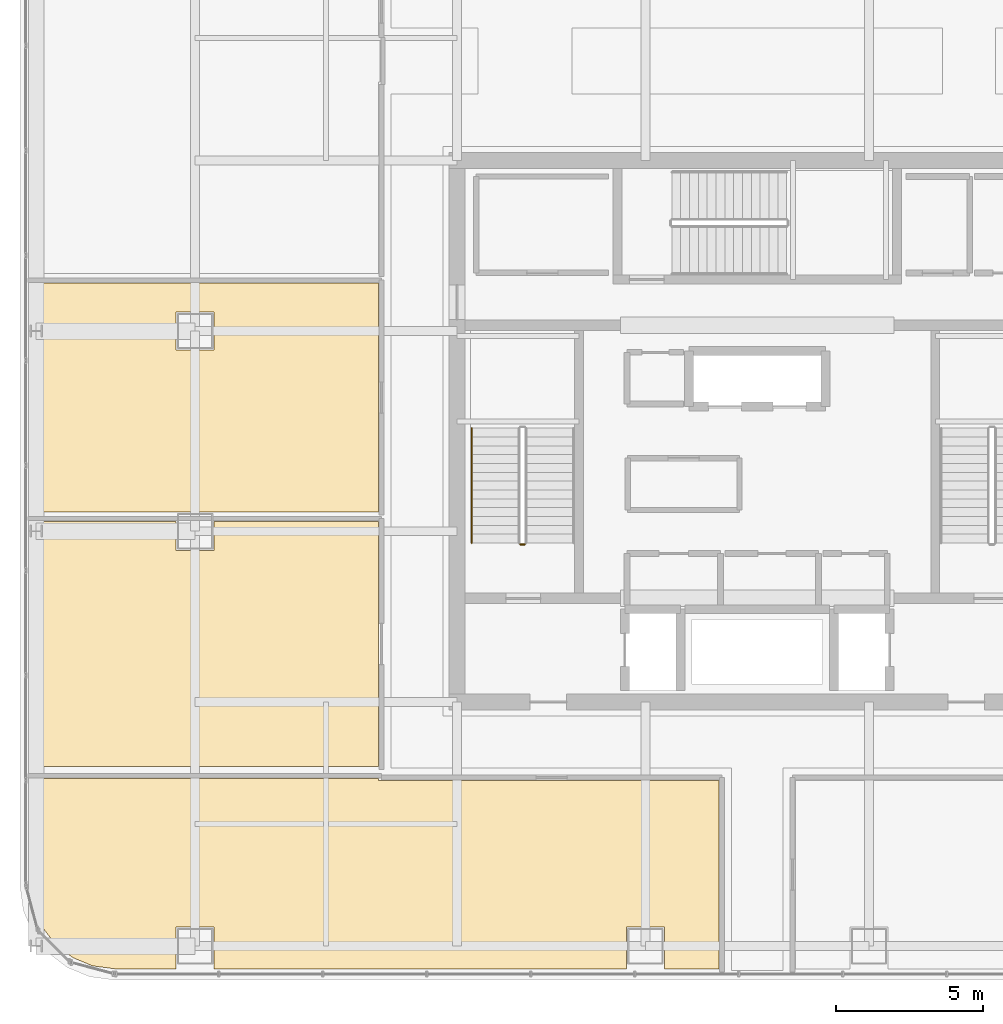
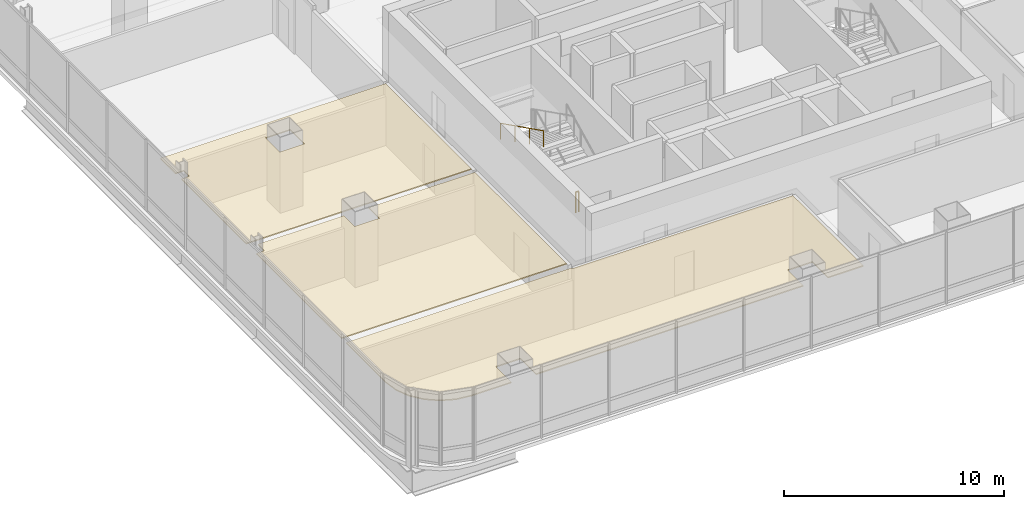
# One storey, part 37 of 41: 3 coverings, 2 railings.
"""IFC4 building model written with IfcOpenShell, lengths in metres."""

from ifc_helpers import new_model, si_unit, direction, frame, origin, origin_2d, place, context, subcontext, project, spatial, polyline, circle, outline, extrude, material, layer, layer_set, type_object, element, save


model = new_model("IFC4")

# Units and contexts
model_context = context("Model", 3, precision=1e-05, world=origin(), true_north=direction((0.0, 1.0)))
body_context = subcontext(model_context, "Body", "Model", "MODEL_VIEW")
ifc_project = project(units=[si_unit("LENGTHUNIT", "METRE"), si_unit("AREAUNIT", "SQUARE_METRE"), si_unit("VOLUMEUNIT", "CUBIC_METRE"), si_unit("PLANEANGLEUNIT", "RADIAN"), si_unit("MASSUNIT", "GRAM", prefix="KILO")], contexts=[model_context])

# Site, building, storey
site_placement = place(None, origin())
site = spatial("IfcSite", under=ifc_project, at=site_placement, CompositionType="ELEMENT")
building_placement = place(site_placement, origin())
building = spatial("IfcBuilding", under=site, at=building_placement, Name="Punatoya Terracotta Tower", CompositionType="ELEMENT")
storey_placement = place(building_placement, frame((0.0, 0.0, 292.199951171875)))
storey = spatial("IfcBuildingStorey", under=building, at=storey_placement, Name="L69", CompositionType="ELEMENT", Elevation=292.199951171875)

# Coverings
ifc_material_1 = material(Name="Acoustic Mineral Fibre Ceiling")
ifc_layer = layer(ifc_material_1, 0.06005859375)
ifc_layer_set = layer_set([ifc_layer], Name="Acoustic Mineral Fibre Ceiling")
covering_type = type_object("IfcCoveringType", Name="COV-CEIL-60", PredefinedType="CEILING", material=ifc_layer_set)
covering_1_placement = place(storey_placement, frame((0.0, 0.0, 3.39013671875)))
element("IfcCovering", 1, at=covering_1_placement, inside=storey, type_object=covering_type, Name="L69 Staff Wellness Studio Acoustic Ceiling", PredefinedType="CEILING", context=body_context, shape_type="SweptSolid", body=[
    extrude(outline(polyline([(-24.289306640625, -16.8583984375), (-23.841796875, -17.441650390625), (-23.25830078125, -17.889404296875), (-22.5791015625, -18.1708984375), (-21.8251953125, -18.27001953125), (-19.75, -18.27001953125), (-19.75, -16.85009765625), (-18.449951171875, -16.85009765625), (-18.449951171875, -18.27001953125), (-4.449951171875, -18.27001953125), (-4.449951171875, -16.85009765625), (-3.14990234375, -16.85009765625), (-3.14990234375, -18.27001953125), (-1.300048828125, -18.27001953125), (-1.300048828125, -11.8701171875), (-12.8701171875, -11.8701171875), (-12.8701171875, -11.81005859375), (-24.669921875, -11.81005859375), (-24.669921875, -15.425048828125), (-24.57080078125, -16.178955078125), (-24.289306640625, -16.8583984375)])), origin(), (0.0, 0.0, 1.0), 0.059814453125),
])
covering_2_placement = place(storey_placement, frame((0.0, 0.0, 3.39013671875)))
element("IfcCovering", 2, at=covering_2_placement, inside=storey, type_object=covering_type, Name="L69 Open-Plan Cultural History Classroom Acoustic Ceiling", PredefinedType="CEILING", context=body_context, shape_type="SweptSolid", body=[
    extrude(outline(polyline([(-24.2470703125, -3.070068359375), (-24.2470703125, -3.657958984375), (-24.669921875, -3.657958984375), (-24.669921875, -11.389892578125), (-12.8701171875, -11.389892578125), (-12.8701171875, -3.070068359375), (-18.449951171875, -3.070068359375), (-18.449951171875, -4.050048828125), (-19.75, -4.050048828125), (-19.75, -3.070068359375), (-24.2470703125, -3.070068359375)])), origin(), (0.0, 0.0, 1.0), 0.059814453125),
])
covering_3_placement = place(storey_placement, frame((0.0, 0.0, 3.39013671875)))
element("IfcCovering", 3, at=covering_3_placement, inside=storey, type_object=covering_type, Name="L69 Open-Plan Nutrition Tea Pantry Acoustic Ceiling", PredefinedType="CEILING", context=body_context, shape_type="SweptSolid", body=[
    extrude(outline(polyline([(-12.8701171875, -2.75), (-12.8701171875, 5.030029296875), (-24.669921875, 5.030029296875), (-24.669921875, 3.657958984375), (-24.2470703125, 3.657958984375), (-24.2470703125, 3.14208984375), (-24.669921875, 3.14208984375), (-24.669921875, -2.75), (-12.8701171875, -2.75)]), holes=[polyline([(-18.449951171875, 4.050048828125), (-18.449951171875, 2.75), (-19.75, 2.75), (-19.75, 4.050048828125), (-18.449951171875, 4.050048828125)])]), origin(), (0.0, 0.0, 1.0), 0.059814453125),
])

# Railings
ifc_material_2 = material(Name="Steel S355", Category="steel")
railing_type_1 = type_object("IfcRailingType", Name="RLG-GRD-1150", PredefinedType="GUARDRAIL", material=ifc_material_2)
railing_1_placement = place(storey_placement, frame((-7.89990234375, -3.85009765625, 0.0)))
element("IfcRailing", 4, at=railing_1_placement, inside=storey, type_object=railing_type_1, Name="L69 ST-1 stair guard 4", PredefinedType="GUARDRAIL", context=body_context, shape_type="SweptSolid", body=[
    extrude(circle(Radius=0.02392578125, at=origin_2d()), frame((0.0, 0.0, 1.1259765625), z_axis=(-1.0, 0.0, 0.0), x_axis=(0.0, -1.0, 0.0)), (0.0, 0.0, 1.0), 0.150146484375),
    extrude(circle(Radius=0.02099609375, at=origin_2d()), origin(), (0.0, 0.0, 1.0), 1.101806640625),
    extrude(circle(Radius=0.02099609375, at=origin_2d()), frame((-0.150146484375, 0.0, 0.0)), (0.0, 0.0, 1.0), 1.101806640625),
])
railing_type_2 = type_object("IfcRailingType", Name="RLG-HND-900", PredefinedType="HANDRAIL", material=ifc_material_2)
railing_2_placement = place(storey_placement, frame((-9.699951171875, 0.10009765625, 2.25)))
element("IfcRailing", 5, at=railing_2_placement, inside=storey, type_object=railing_type_2, Name="L69 ST-1 stair handrail 2", PredefinedType="HANDRAIL", context=body_context, shape_type="SweptSolid", body=[
    extrude(circle(Radius=0.02392578125, at=origin_2d()), frame((0.0, 0.0, 0.8759765625), z_axis=(0.0, -0.894438388696, 0.447191199406), x_axis=(1.0, 0.0, 0.0)), (0.0, 0.0, 1.0), 4.3603515625),
    extrude(circle(Radius=0.02099609375, at=origin_2d()), origin(), (0.0, 0.0, 1.0), 0.851806640625),
    extrude(circle(Radius=0.02099609375, at=origin_2d()), frame((0.0, -1.300048828125, 0.64990234375)), (0.0, 0.0, 1.0), 0.851806640625),
    extrude(circle(Radius=0.02099609375, at=origin_2d()), frame((0.0, -2.60009765625, 1.300048828125)), (0.0, 0.0, 1.0), 0.851806640625),
    extrude(circle(Radius=0.02099609375, at=origin_2d()), frame((0.0, -3.900146484375, 1.949951171875)), (0.0, 0.0, 1.0), 0.851806640625),
])

save(model, "model.ifc")
